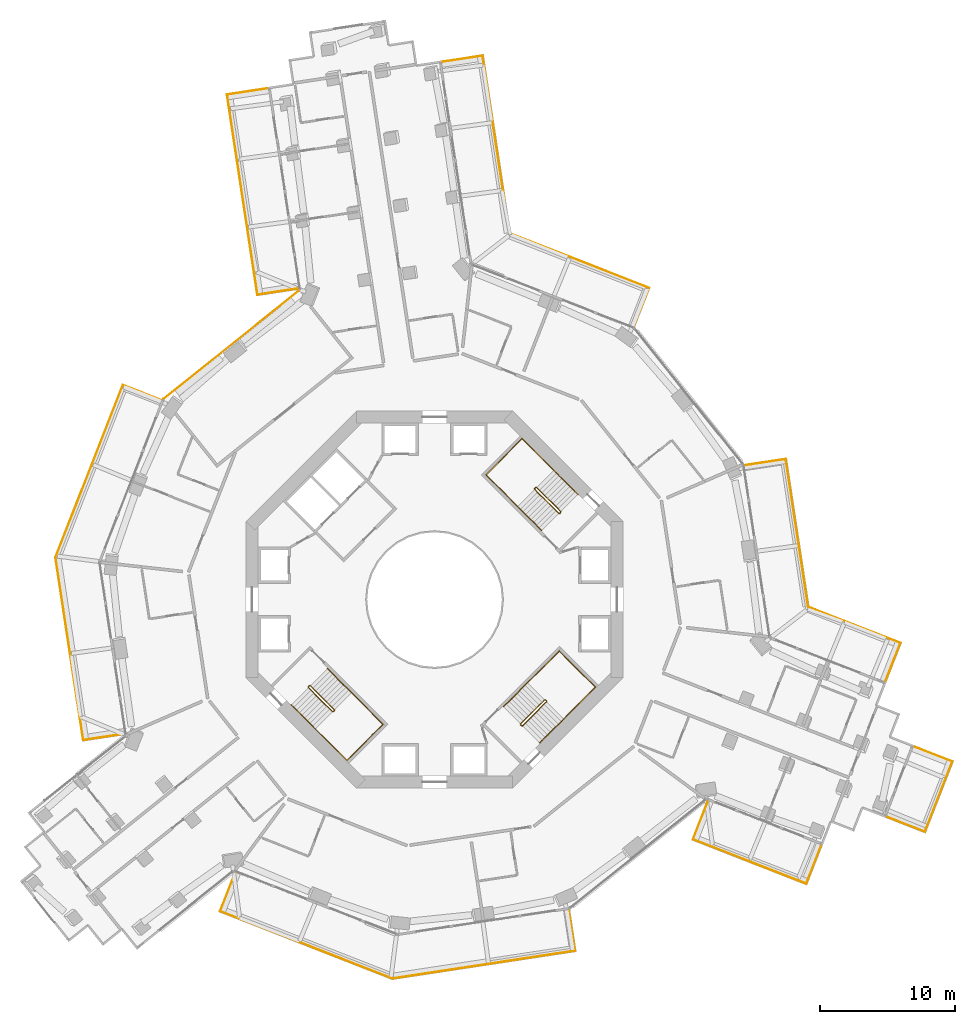
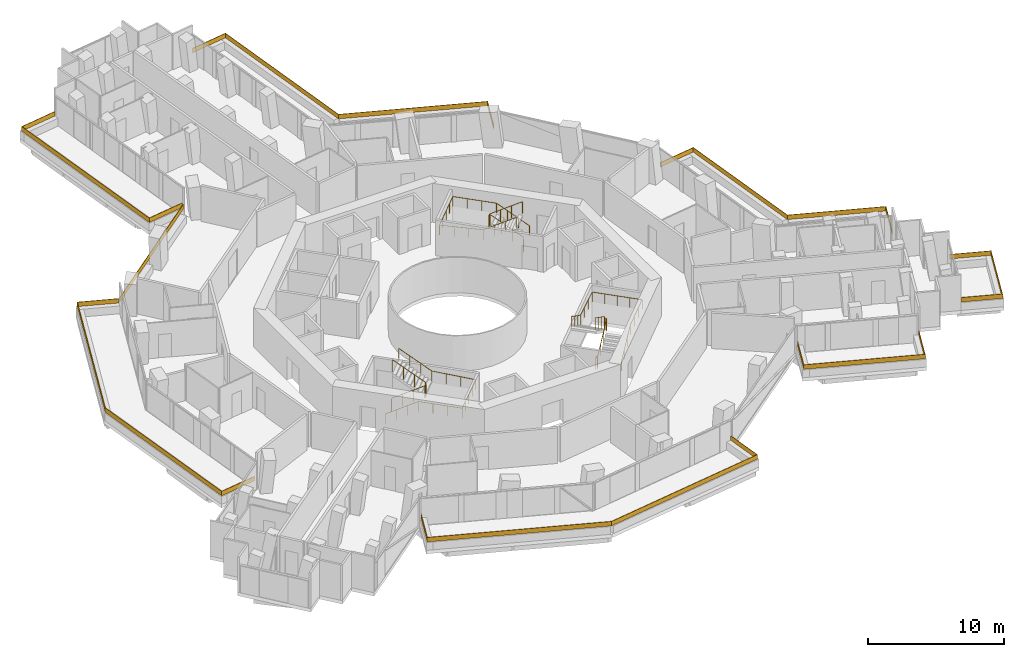
# One storey, part 28 of 28: 14 railings.
"""IFC4 building model written with IfcOpenShell, lengths in metres."""

import ifcopenshell
import ifcopenshell.guid

model = None  # the IFC model being written
_history = None  # IfcOwnerHistory: only IFC2X3 demands one
_inside = {}  # id of a spatial element -> (the spatial element, [elements in it])
_under = {}  # id of a project, library or spatial element -> (it, [spatial elements below it])
_declared = {}  # id of a project -> (the project, [libraries it declares])
_typed = {}  # id of a type object -> (the type object, [elements of that type])
_made_of = {}  # id of a material, layer set ... -> (it, [elements and type objects made of it])


def new_model(schema):
    """Start an empty IFC model of exactly this schema.

    Asked for "IFC4X3", IfcOpenShell would pick the latest addendum, in which some entities
    have other attributes; the version numbers below select the first issue.
    IFC2X3 requires an IfcOwnerHistory on every rooted entity: one is made here for all.
    """
    global model, _history
    if schema == "IFC4X3":
        model = ifcopenshell.file(schema_version=(4, 3, 0, 0))
    else:
        model = ifcopenshell.file(schema=schema)
    _inside.clear()
    _under.clear()
    _declared.clear()
    _typed.clear()
    _made_of.clear()
    _history = None
    if model.schema == "IFC2X3":
        org = make("IfcOrganization", Name="unknown")
        user = make(
            "IfcPersonAndOrganization",
            ThePerson=make("IfcPerson", FamilyName="unknown"),
            TheOrganization=org,
        )
        app = make(
            "IfcApplication",
            ApplicationDeveloper=org,
            Version="unknown",
            ApplicationFullName="unknown",
            ApplicationIdentifier="unknown",
        )
        _history = make(
            "IfcOwnerHistory",
            OwningUser=user,
            OwningApplication=app,
            ChangeAction="ADDED",
            CreationDate=0,
        )
    return model


def make(cls, **values):
    """One entity of the class cls with the attributes given. An attribute that is None is left unset."""
    return model.create_entity(
        cls, **{name: value for name, value in values.items() if value is not None}
    )


def rooted(cls, **values):
    """An entity with a GlobalId (a new one), such as an element, a storey or a relation."""
    return make(cls, GlobalId=ifcopenshell.guid.new(), OwnerHistory=_history, **values)


def si_unit(unit_type, name, prefix=None):
    """IfcSIUnit, for example si_unit("LENGTHUNIT", "METRE", prefix="MILLI")."""
    return make("IfcSIUnit", UnitType=unit_type, Prefix=prefix, Name=name)


def assignment(units):
    """IfcUnitAssignment: the units of a project."""
    return None if units is None else make("IfcUnitAssignment", Units=units)


def point(xyz):
    """IfcCartesianPoint."""
    return None if xyz is None else make("IfcCartesianPoint", Coordinates=xyz)


def direction(xyz):
    """IfcDirection."""
    return None if xyz is None else make("IfcDirection", DirectionRatios=xyz)


def frame(location, z_axis=None, x_axis=None):
    """IfcAxis2Placement3D, a coordinate frame: its origin and axes. An axis left out is left unset."""
    return make(
        "IfcAxis2Placement3D",
        Location=point(location),
        Axis=direction(z_axis),
        RefDirection=direction(x_axis),
    )


def frame_2d(location, x_axis=None):
    """IfcAxis2Placement2D, a coordinate frame in the plane: its origin and x axis."""
    return make(
        "IfcAxis2Placement2D", Location=point(location), RefDirection=direction(x_axis)
    )


def origin():
    """The frame at (0, 0, 0) with its axes left unset."""
    return frame((0.0, 0.0, 0.0))


def origin_2d():
    """The frame at (0, 0) in the plane with its x axis left unset."""
    return frame_2d((0.0, 0.0))


def place(relative_to, where):
    """IfcLocalPlacement: puts the frame where relative to a parent placement (None: the world)."""
    return make(
        "IfcLocalPlacement", PlacementRelTo=relative_to, RelativePlacement=where
    )


def context(
    kind, dimensions, precision=None, world=None, true_north=None, identifier=None
):
    """IfcGeometricRepresentationContext, for example the 3D "Model" context."""
    return make(
        "IfcGeometricRepresentationContext",
        ContextIdentifier=identifier,
        ContextType=kind,
        CoordinateSpaceDimension=dimensions,
        Precision=precision,
        WorldCoordinateSystem=world,
        TrueNorth=true_north,
    )


def subcontext(parent, identifier, kind, view, scale=None):
    """IfcGeometricRepresentationSubContext, for example "Body" below "Model"."""
    return make(
        "IfcGeometricRepresentationSubContext",
        ContextIdentifier=identifier,
        ContextType=kind,
        ParentContext=parent,
        TargetScale=scale,
        TargetView=view,
    )


def project(units=None, contexts=None):
    """IfcProject with its units and contexts."""
    return rooted(
        "IfcProject",
        Name="project",
        RepresentationContexts=contexts,
        UnitsInContext=assignment(units),
    )


def spatial(cls, under=None, at=None, **own):
    """A site, building, storey or space (cls), placed at a placement, below another one or the project."""
    s = rooted(cls, ObjectPlacement=at, **own)
    if under is not None:
        _under.setdefault(under.id(), (under, []))[1].append(s)
    return s


def polyline(points):
    """IfcPolyline through the points."""
    return make("IfcPolyline", Points=[point(p) for p in points])


def profile(cls, at=None, kind="AREA", **sizes):
    """A parametric profile (cls). Its sizes go by their IFC names, for example OverallWidth=200.0."""
    return make(cls, ProfileType=kind, Position=at, **sizes)


def rectangle(**sizes):
    """IfcRectangleProfileDef."""
    return profile("IfcRectangleProfileDef", **sizes)


def circle(**sizes):
    """IfcCircleProfileDef."""
    return profile("IfcCircleProfileDef", **sizes)


def outline(outer, holes=None, kind="AREA"):
    """IfcArbitraryClosedProfileDef: a profile drawn as a closed curve; with holes, ...WithVoids."""
    if holes is None:
        return make("IfcArbitraryClosedProfileDef", ProfileType=kind, OuterCurve=outer)
    return make(
        "IfcArbitraryProfileDefWithVoids",
        ProfileType=kind,
        OuterCurve=outer,
        InnerCurves=holes,
    )


def extrude(swept, where, along, depth):
    """IfcExtrudedAreaSolid: the profile swept, set in the frame where, extruded along a direction by depth."""
    return make(
        "IfcExtrudedAreaSolid",
        SweptArea=swept,
        Position=where,
        ExtrudedDirection=direction(along),
        Depth=depth,
    )


def shape(context_of_items, identifier, shape_type, items):
    """IfcShapeRepresentation: the items that make up one representation, for example the "Body"."""
    return make(
        "IfcShapeRepresentation",
        ContextOfItems=context_of_items,
        RepresentationIdentifier=identifier,
        RepresentationType=shape_type,
        Items=items,
    )


def material(Name=None, Category=None):
    """IfcMaterial."""
    return make("IfcMaterial", Name=Name, Category=Category)


def layer(
    of_material, thickness, ventilated=None, Name=None, Category=None, Priority=None
):
    """IfcMaterialLayer: one layer of a wall or slab, of a material (None: an air gap)."""
    return make(
        "IfcMaterialLayer",
        Material=of_material,
        LayerThickness=thickness,
        IsVentilated=ventilated,
        Name=Name,
        Category=Category,
        Priority=Priority,
    )


def layer_set(layers, Name=None):
    """IfcMaterialLayerSet."""
    return make("IfcMaterialLayerSet", MaterialLayers=layers, LayerSetName=Name)


def made_of(thing, what):
    """Note that an element or type object is made of a material, layer set ...; save() writes the relation."""
    if what is not None:
        _made_of.setdefault(what.id(), (what, []))[1].append(thing)
    return thing


def type_object(cls, material=None, **own):
    """A type object (cls), such as IfcWallType, which elements share."""
    return made_of(rooted(cls, **own), material)


def element(
    cls,
    number,
    at=None,
    inside=None,
    cuts=None,
    type_object=None,
    material=None,
    context=None,
    identifier="Body",
    shape_type=None,
    held_by="IfcProductDefinitionShape",
    body=None,
    shapes=None,
    **own,
):
    """One element of the class cls, such as IfcWall. Its Tag is "e" and its number.

    at: its placement. inside: the storey or other place that contains it. cuts: it is an
    opening in that element (IfcRelVoidsElement). A single representation is given by context,
    identifier, shape_type and body (its items); several are given by shapes. held_by: the class
    of the entity that holds the representations. save() writes the other relations.
    """
    e = rooted(cls, Tag="e%d" % number, ObjectPlacement=at, **own)
    if body is not None:
        shapes = [shape(context, identifier, shape_type, body)]
    if shapes is not None:
        e.Representation = make(held_by, Representations=shapes)
    if inside is not None:
        _inside.setdefault(inside.id(), (inside, []))[1].append(e)
    if cuts is not None:
        rooted(
            "IfcRelVoidsElement", RelatingBuildingElement=cuts, RelatedOpeningElement=e
        )
    if type_object is not None:
        _typed.setdefault(type_object.id(), (type_object, []))[1].append(e)
    return made_of(e, material)


def aggregate(whole, parts):
    """IfcRelAggregates: a whole, such as a stair, and the parts it consists of."""
    return rooted("IfcRelAggregates", RelatingObject=whole, RelatedObjects=parts)


def save(model, path):
    """Write the relations noted so far, then the file.

    IfcRelAggregates (storeys below a building ...), IfcRelContainedInSpatialStructure (elements
    in a storey), IfcRelDefinesByType, IfcRelAssociatesMaterial and IfcRelDeclares: one each for
    every whole, place, type object, material and project.
    """
    for whole, parts in _under.values():
        aggregate(whole, parts)
    for where, things in _inside.values():
        rooted(
            "IfcRelContainedInSpatialStructure",
            RelatedElements=things,
            RelatingStructure=where,
        )
    for kind, things in _typed.values():
        rooted("IfcRelDefinesByType", RelatedObjects=things, RelatingType=kind)
    for what, things in _made_of.values():
        rooted("IfcRelAssociatesMaterial", RelatedObjects=things, RelatingMaterial=what)
    for by, libraries in _declared.values():
        rooted("IfcRelDeclares", RelatingContext=by, RelatedDefinitions=libraries)
    model.write(path)


model = new_model("IFC4")

# Units and contexts
model_context = context("Model", 3, precision=1e-05, world=origin(), true_north=direction((0.0, 1.0)))
body_context = subcontext(model_context, "Body", "Model", "MODEL_VIEW")
ifc_project = project(units=[si_unit("LENGTHUNIT", "METRE"), si_unit("AREAUNIT", "SQUARE_METRE"), si_unit("VOLUMEUNIT", "CUBIC_METRE"), si_unit("PLANEANGLEUNIT", "RADIAN"), si_unit("MASSUNIT", "GRAM", prefix="KILO")], contexts=[model_context])

# Site, building, storey
site_placement = place(None, origin())
site = spatial("IfcSite", under=ifc_project, at=site_placement, CompositionType="ELEMENT")
building_placement = place(site_placement, origin())
building = spatial("IfcBuilding", under=site, at=building_placement, Name="Verdalira Terraces Hotel", CompositionType="ELEMENT")
storey_placement = place(building_placement, frame((0.0, 0.0, 68.0)))
storey = spatial("IfcBuildingStorey", under=building, at=storey_placement, Name="L15", CompositionType="ELEMENT", Elevation=68.0)

# Railings
ifc_material_1 = material(Name="Laminated glass", Category="glass")
ifc_layer = layer(ifc_material_1, 0.0400390625)
ifc_layer_set = layer_set([ifc_layer], Name="Balcony glass guard 400")
railing_type_1 = type_object("IfcRailingType", Name="Balcony glass guard 400", PredefinedType="GUARDRAIL", material=ifc_layer_set)
railing_1_placement = place(storey_placement, frame((0.0, 0.0, 0.699951)))
element("IfcRailing", 1, at=railing_1_placement, inside=storey, type_object=railing_type_1, Name="Balcony glass guard", PredefinedType="GUARDRAIL", context=body_context, shape_type="SweptSolid", body=[
    extrude(outline(polyline([(-15.386475, 37.490234), (-13.133545, 22.662598), (-10.089355, 23.125), (-10.083496, 23.085449), (-13.166992, 22.616943), (-15.432129, 37.523682), (-12.348633, 37.992188), (-12.342529, 37.952637), (-15.386475, 37.490234)])), origin(), (0.0, 0.0, 1.0), 0.400146),
])
railing_2_placement = place(storey_placement, frame((0.0, 0.0, 0.699951)))
element("IfcRailing", 2, at=railing_2_placement, inside=storey, type_object=railing_type_1, Name="Balcony glass guard", PredefinedType="GUARDRAIL", context=body_context, shape_type="SweptSolid", body=[
    extrude(outline(polyline([(-23.136719, 15.89917), (-28.128418, 3.135254), (-26.06958, -10.414551), (-23.025635, -9.951904), (-23.019531, -9.991455), (-26.103271, -10.459961), (-28.169678, 3.139893), (-23.159424, 15.950928), (-20.254639, 14.814941), (-20.269287, 14.777588), (-23.136719, 15.89917)])), origin(), (0.0, 0.0, 1.0), 0.400146),
])
railing_3_placement = place(storey_placement, frame((0.0, 0.0, 0.699951)))
element("IfcRailing", 3, at=railing_3_placement, inside=storey, type_object=railing_type_1, Name="Balcony glass guard", PredefinedType="GUARDRAIL", context=body_context, shape_type="SweptSolid", body=[
    extrude(outline(polyline([(-15.89917, -23.136719), (-3.135254, -28.128418), (10.414551, -26.06958), (9.951904, -23.025635), (9.991455, -23.019531), (10.459961, -26.103271), (-3.139893, -28.169678), (-15.950928, -23.159424), (-14.814941, -20.254639), (-14.777588, -20.269287), (-15.89917, -23.136719)])), origin(), (0.0, 0.0, 1.0), 0.400146),
])
railing_4_placement = place(storey_placement, frame((0.0, 0.0, 0.699951)))
element("IfcRailing", 4, at=railing_4_placement, inside=storey, type_object=railing_type_1, Name="Balcony glass guard", PredefinedType="GUARDRAIL", context=body_context, shape_type="SweptSolid", body=[
    extrude(outline(polyline([(19.2146, -17.80127), (27.594238, -21.078369), (28.71582, -18.210938), (28.75293, -18.225586), (27.616943, -21.130371), (19.162598, -17.823975), (20.298584, -14.919189), (20.335938, -14.933594), (19.2146, -17.80127)])), origin(), (0.0, 0.0, 1.0), 0.400146),
])
railing_5_placement = place(storey_placement, frame((0.0, 0.0, 0.699951)))
element("IfcRailing", 5, at=railing_5_placement, inside=storey, type_object=railing_type_1, Name="Balcony glass guard", PredefinedType="GUARDRAIL", context=body_context, shape_type="SweptSolid", body=[
    extrude(outline(polyline([(36.404053, -17.222168), (38.428955, -12.044189), (35.561523, -10.922852), (35.576172, -10.885498), (38.480957, -12.021484), (36.426758, -17.27417), (33.521973, -16.138184), (33.536377, -16.10083), (36.404053, -17.222168)])), origin(), (0.0, 0.0, 1.0), 0.400146),
])
railing_6_placement = place(storey_placement, frame((0.0, 0.0, 0.699951)))
element("IfcRailing", 6, at=railing_6_placement, inside=storey, type_object=railing_type_1, Name="Balcony glass guard", PredefinedType="GUARDRAIL", context=body_context, shape_type="SweptSolid", body=[
    extrude(outline(polyline([(34.572998, -3.234619), (27.737305, -0.561279), (26.06958, 10.414551), (23.025635, 9.951904), (23.019531, 9.991455), (26.103271, 10.459961), (27.773438, -0.532471), (34.624756, -3.211914), (33.48877, -6.116699), (33.451416, -6.102051), (34.572998, -3.234619)])), origin(), (0.0, 0.0, 1.0), 0.400146),
])
railing_7_placement = place(storey_placement, frame((0.0, 0.0, 0.699951)))
element("IfcRailing", 7, at=railing_7_placement, inside=storey, type_object=railing_type_1, Name="Balcony glass guard", PredefinedType="GUARDRAIL", context=body_context, shape_type="SweptSolid", body=[
    extrude(outline(polyline([(15.89917, 23.136719), (5.559814, 27.180176), (3.555908, 40.368408), (0.511963, 39.906006), (0.505859, 39.945557), (3.5896, 40.414062), (5.595947, 27.208984), (15.950928, 23.159424), (14.814941, 20.254639), (14.777588, 20.269287), (15.89917, 23.136719)])), origin(), (0.0, 0.0, 1.0), 0.400146),
])
railing_8_placement = place(storey_placement, frame((-15.116211, 18.908691, 0.699951), z_axis=(0.0, 0.0, 1.0), x_axis=(-0.781084732, -0.624425049, 0.0)))
element("IfcRailing", 8, at=railing_8_placement, inside=storey, type_object=railing_type_1, Name="Loggia glass guard", PredefinedType="GUARDRAIL", context=body_context, shape_type="SweptSolid", body=[
    extrude(rectangle(XDim=12.840088, YDim=0.040039, at=origin_2d()), origin(), (0.0, 0.0, 1.0), 0.399902),
])
ifc_material_2 = material(Name="Stainless steel", Category="steel")
railing_type_2 = type_object("IfcRailingType", Name="Stair guard 1100", PredefinedType="GUARDRAIL", material=ifc_material_2)
railing_9_placement = place(storey_placement, frame((9.369141, 6.469971, 0.0)))
element("IfcRailing", 9, at=railing_9_placement, inside=storey, type_object=railing_type_2, Name="L15 ST1 stair guard 1", PredefinedType="GUARDRAIL", context=body_context, shape_type="SweptSolid", body=[
    extrude(circle(Radius=0.023926, at=origin_2d()), frame((0.0, 0.0, 1.076172), z_axis=(-0.70832698, -0.705884473, 0.0), x_axis=(0.705884473, -0.70832698, 0.0)), (0.0, 0.0, 1.0), 0.099854),
    extrude(circle(Radius=0.023926, at=origin_2d()), frame((-0.070801, -0.070557, 1.076172), z_axis=(0.300162975, 0.599290904, 0.742127078), x_axis=(-0.894118129, 0.447831187, 0.0)), (0.0, 0.0, 1.0), 0.23584),
    extrude(circle(Radius=0.023926, at=origin_2d()), frame((0.0, 0.070801, 1.250977), z_axis=(-0.599637504, 0.599637504, 0.52997144), x_axis=(-0.707106781, -0.707106781, 0.0)), (0.0, 0.0, 1.0), 2.97168),
    extrude(circle(Radius=0.023926, at=origin_2d()), frame((-1.781982, 1.852783, 2.826172), z_axis=(-1.0, 0.0, 0.0), x_axis=(0.0, -1.0, 0.0)), (0.0, 0.0, 1.0), 0.070557),
    extrude(circle(Radius=0.023926, at=origin_2d()), frame((-1.852539, 1.852783, 2.826172), z_axis=(-0.707106781, -0.707106781, 0.0), x_axis=(0.707106781, -0.707106781, 0.0)), (0.0, 0.0, 1.0), 0.100098),
    extrude(circle(Radius=0.023926, at=origin_2d()), frame((-1.92334, 1.781982, 2.826172), z_axis=(0.0, -0.374954687, 0.92704314), x_axis=(1.0, 0.0, 0.0)), (0.0, 0.0, 1.0), 0.188721),
    extrude(circle(Radius=0.023926, at=origin_2d()), frame((-1.92334, 1.711182, 3.000977), z_axis=(0.599667044, -0.599584886, 0.529997548), x_axis=(0.707058338, 0.707155221, 0.0)), (0.0, 0.0, 1.0), 2.97168),
    extrude(circle(Radius=0.020996, at=origin_2d()), origin(), (0.0, 0.0, 1.0), 1.052002),
    extrude(circle(Radius=0.020996, at=origin_2d()), frame((-0.070801, -0.070557, 0.0)), (0.0, 0.0, 1.0), 1.052002),
    extrude(circle(Radius=0.020996, at=origin_2d()), frame((0.0, 0.070801, 0.175049)), (0.0, 0.0, 1.0), 1.052002),
    extrude(circle(Radius=0.020996, at=origin_2d()), frame((-0.593994, 0.664795, 0.699951)), (0.0, 0.0, 1.0), 1.052002),
    extrude(circle(Radius=0.020996, at=origin_2d()), frame((-1.187988, 1.258789, 1.225098)), (0.0, 0.0, 1.0), 1.052002),
    extrude(circle(Radius=0.020996, at=origin_2d()), frame((-1.781982, 1.852783, 1.75)), (0.0, 0.0, 1.0), 1.052002),
    extrude(circle(Radius=0.020996, at=origin_2d()), frame((-1.852539, 1.852783, 1.75)), (0.0, 0.0, 1.0), 1.052002),
    extrude(circle(Radius=0.020996, at=origin_2d()), frame((-1.92334, 1.781982, 1.75)), (0.0, 0.0, 1.0), 1.052002),
    extrude(circle(Radius=0.020996, at=origin_2d()), frame((-1.92334, 1.711182, 1.925049)), (0.0, 0.0, 1.0), 1.052002),
    extrude(circle(Radius=0.020996, at=origin_2d()), frame((-1.329346, 1.117188, 2.449951)), (0.0, 0.0, 1.0), 1.052002),
    extrude(circle(Radius=0.020996, at=origin_2d()), frame((-0.735352, 0.523438, 2.975098)), (0.0, 0.0, 1.0), 1.052002),
    extrude(circle(Radius=0.020996, at=origin_2d()), frame((-0.141357, -0.070557, 3.5)), (0.0, 0.0, 1.0), 1.052002),
])
railing_10_placement = place(storey_placement, frame((-9.369141, -6.469971, 0.0)))
element("IfcRailing", 10, at=railing_10_placement, inside=storey, type_object=railing_type_2, Name="L15 ST2 stair guard 1", PredefinedType="GUARDRAIL", context=body_context, shape_type="SweptSolid", body=[
    extrude(circle(Radius=0.023926, at=origin_2d()), frame((0.0, 0.0, 1.076172), z_axis=(0.70832698, 0.705884473, 0.0), x_axis=(-0.705884473, 0.70832698, 0.0)), (0.0, 0.0, 1.0), 0.099854),
    extrude(circle(Radius=0.023926, at=origin_2d()), frame((0.070801, 0.070557, 1.076172), z_axis=(-0.300162975, -0.599290904, 0.742127078), x_axis=(0.894118129, -0.447831187, 0.0)), (0.0, 0.0, 1.0), 0.23584),
    extrude(circle(Radius=0.023926, at=origin_2d()), frame((0.0, -0.070801, 1.250977), z_axis=(0.599637504, -0.599637504, 0.52997144), x_axis=(0.707106781, 0.707106781, 0.0)), (0.0, 0.0, 1.0), 2.97168),
    extrude(circle(Radius=0.023926, at=origin_2d()), frame((1.781982, -1.852783, 2.826172), z_axis=(1.0, 0.0, 0.0), x_axis=(0.0, 1.0, 0.0)), (0.0, 0.0, 1.0), 0.070557),
    extrude(circle(Radius=0.023926, at=origin_2d()), frame((1.852539, -1.852783, 2.826172), z_axis=(0.707106781, 0.707106781, 0.0), x_axis=(-0.707106781, 0.707106781, 0.0)), (0.0, 0.0, 1.0), 0.100098),
    extrude(circle(Radius=0.023926, at=origin_2d()), frame((1.92334, -1.781982, 2.826172), z_axis=(0.0, 0.374954687, 0.92704314), x_axis=(-1.0, 0.0, 0.0)), (0.0, 0.0, 1.0), 0.188721),
    extrude(circle(Radius=0.023926, at=origin_2d()), frame((1.92334, -1.711182, 3.000977), z_axis=(-0.599667044, 0.599584886, 0.529997548), x_axis=(-0.707058338, -0.707155221, 0.0)), (0.0, 0.0, 1.0), 2.97168),
    extrude(circle(Radius=0.020996, at=origin_2d()), origin(), (0.0, 0.0, 1.0), 1.052002),
    extrude(circle(Radius=0.020996, at=origin_2d()), frame((0.070801, 0.070557, 0.0)), (0.0, 0.0, 1.0), 1.052002),
    extrude(circle(Radius=0.020996, at=origin_2d()), frame((0.0, -0.070801, 0.175049)), (0.0, 0.0, 1.0), 1.052002),
    extrude(circle(Radius=0.020996, at=origin_2d()), frame((0.593994, -0.664795, 0.699951)), (0.0, 0.0, 1.0), 1.052002),
    extrude(circle(Radius=0.020996, at=origin_2d()), frame((1.187988, -1.258789, 1.225098)), (0.0, 0.0, 1.0), 1.052002),
    extrude(circle(Radius=0.020996, at=origin_2d()), frame((1.781982, -1.852783, 1.75)), (0.0, 0.0, 1.0), 1.052002),
    extrude(circle(Radius=0.020996, at=origin_2d()), frame((1.852539, -1.852783, 1.75)), (0.0, 0.0, 1.0), 1.052002),
    extrude(circle(Radius=0.020996, at=origin_2d()), frame((1.92334, -1.781982, 1.75)), (0.0, 0.0, 1.0), 1.052002),
    extrude(circle(Radius=0.020996, at=origin_2d()), frame((1.92334, -1.711182, 1.925049)), (0.0, 0.0, 1.0), 1.052002),
    extrude(circle(Radius=0.020996, at=origin_2d()), frame((1.329346, -1.117188, 2.449951)), (0.0, 0.0, 1.0), 1.052002),
    extrude(circle(Radius=0.020996, at=origin_2d()), frame((0.735352, -0.523438, 2.975098)), (0.0, 0.0, 1.0), 1.052002),
    extrude(circle(Radius=0.020996, at=origin_2d()), frame((0.141357, 0.070557, 3.5)), (0.0, 0.0, 1.0), 1.052002),
])
railing_11_placement = place(storey_placement, frame((6.469971, -9.369141, 0.0)))
element("IfcRailing", 11, at=railing_11_placement, inside=storey, type_object=railing_type_2, Name="L15 ST3 stair guard 1", PredefinedType="GUARDRAIL", context=body_context, shape_type="SweptSolid", body=[
    extrude(circle(Radius=0.023926, at=origin_2d()), frame((0.0, 0.0, 1.076172), z_axis=(-0.705884473, 0.70832698, 0.0), x_axis=(-0.70832698, -0.705884473, 0.0)), (0.0, 0.0, 1.0), 0.099854),
    extrude(circle(Radius=0.023926, at=origin_2d()), frame((-0.070557, 0.070801, 1.076172), z_axis=(0.599290904, -0.300162975, 0.742127078), x_axis=(0.447831187, 0.894118129, 0.0)), (0.0, 0.0, 1.0), 0.23584),
    extrude(circle(Radius=0.023926, at=origin_2d()), frame((0.070801, 0.0, 1.250977), z_axis=(0.599637504, 0.599637504, 0.52997144), x_axis=(-0.707106781, 0.707106781, 0.0)), (0.0, 0.0, 1.0), 2.97168),
    extrude(circle(Radius=0.023926, at=origin_2d()), frame((1.852783, 1.781982, 2.826172), z_axis=(0.0, 1.0, 0.0), x_axis=(-1.0, 0.0, 0.0)), (0.0, 0.0, 1.0), 0.070557),
    extrude(circle(Radius=0.023926, at=origin_2d()), frame((1.852783, 1.852539, 2.826172), z_axis=(-0.707106781, 0.707106781, 0.0), x_axis=(-0.707106781, -0.707106781, 0.0)), (0.0, 0.0, 1.0), 0.100098),
    extrude(circle(Radius=0.023926, at=origin_2d()), frame((1.781982, 1.92334, 2.826172), z_axis=(-0.374954687, 0.0, 0.92704314), x_axis=(0.0, -1.0, 0.0)), (0.0, 0.0, 1.0), 0.188721),
    extrude(circle(Radius=0.023926, at=origin_2d()), frame((1.711182, 1.92334, 3.000977), z_axis=(-0.599584886, -0.599667044, 0.529997548), x_axis=(0.707155221, -0.707058338, 0.0)), (0.0, 0.0, 1.0), 2.97168),
    extrude(circle(Radius=0.020996, at=origin_2d()), origin(), (0.0, 0.0, 1.0), 1.052002),
    extrude(circle(Radius=0.020996, at=origin_2d()), frame((-0.070557, 0.070801, 0.0)), (0.0, 0.0, 1.0), 1.052002),
    extrude(circle(Radius=0.020996, at=origin_2d()), frame((0.070801, 0.0, 0.175049)), (0.0, 0.0, 1.0), 1.052002),
    extrude(circle(Radius=0.020996, at=origin_2d()), frame((0.664795, 0.593994, 0.699951)), (0.0, 0.0, 1.0), 1.052002),
    extrude(circle(Radius=0.020996, at=origin_2d()), frame((1.258789, 1.187988, 1.225098)), (0.0, 0.0, 1.0), 1.052002),
    extrude(circle(Radius=0.020996, at=origin_2d()), frame((1.852783, 1.781982, 1.75)), (0.0, 0.0, 1.0), 1.052002),
    extrude(circle(Radius=0.020996, at=origin_2d()), frame((1.852783, 1.852539, 1.75)), (0.0, 0.0, 1.0), 1.052002),
    extrude(circle(Radius=0.020996, at=origin_2d()), frame((1.781982, 1.92334, 1.75)), (0.0, 0.0, 1.0), 1.052002),
    extrude(circle(Radius=0.020996, at=origin_2d()), frame((1.711182, 1.92334, 1.925049)), (0.0, 0.0, 1.0), 1.052002),
    extrude(circle(Radius=0.020996, at=origin_2d()), frame((1.117188, 1.329346, 2.449951)), (0.0, 0.0, 1.0), 1.052002),
    extrude(circle(Radius=0.020996, at=origin_2d()), frame((0.523438, 0.735352, 2.975098)), (0.0, 0.0, 1.0), 1.052002),
    extrude(circle(Radius=0.020996, at=origin_2d()), frame((-0.070557, 0.141357, 3.5)), (0.0, 0.0, 1.0), 1.052002),
])
ifc_material_3 = material(Name="Stainless steel", Category="steel")
railing_type_3 = type_object("IfcRailingType", Name="Stair handrail 900", PredefinedType="HANDRAIL", material=ifc_material_3)
railing_12_placement = place(storey_placement, frame((10.641846, 7.813477, 0.175049)))
element("IfcRailing", 12, at=railing_12_placement, inside=storey, type_object=railing_type_3, Name="L15 ST1 stair handrail 1", PredefinedType="HANDRAIL", context=body_context, shape_type="SweptSolid", body=[
    extrude(circle(Radius=0.023926, at=origin_2d()), frame((0.0, 0.0, 0.875977), z_axis=(-0.599584886, 0.599667044, 0.529997548), x_axis=(-0.707155221, -0.707058338, 0.0)), (0.0, 0.0, 1.0), 2.97168),
    extrude(circle(Radius=0.023926, at=origin_2d()), frame((-1.781738, 1.781982, 2.450684), z_axis=(-0.707106781, 0.707106781, 0.0), x_axis=(-0.707106781, -0.707106781, 0.0)), (0.0, 0.0, 1.0), 3.330078),
    extrude(circle(Radius=0.023926, at=origin_2d()), frame((-4.136475, 4.136719, 2.450684), z_axis=(-0.707106781, -0.707106781, 0.0), x_axis=(0.707106781, -0.707106781, 0.0)), (0.0, 0.0, 1.0), 3.800049),
    extrude(circle(Radius=0.023926, at=origin_2d()), frame((-6.823486, 1.449707, 2.450684), z_axis=(0.706131881, -0.706131881, 0.052493163), x_axis=(0.707106781, 0.707106781, 0.0)), (0.0, 0.0, 1.0), 3.334717),
    extrude(circle(Radius=0.023926, at=origin_2d()), frame((-4.46875, -0.905029, 2.625977), z_axis=(0.599584886, -0.599667044, 0.529997548), x_axis=(0.707155221, 0.707058338, 0.0)), (0.0, 0.0, 1.0), 2.97168),
    extrude(circle(Radius=0.020996, at=origin_2d()), origin(), (0.0, 0.0, 1.0), 0.851807),
    extrude(circle(Radius=0.020996, at=origin_2d()), frame((-0.593994, 0.593994, 0.524902)), (0.0, 0.0, 1.0), 0.851807),
    extrude(circle(Radius=0.020996, at=origin_2d()), frame((-1.187744, 1.187988, 1.050049)), (0.0, 0.0, 1.0), 0.851807),
    extrude(circle(Radius=0.020996, at=origin_2d()), frame((-1.781738, 1.781982, 1.574951)), (0.0, 0.0, 1.0), 0.851807),
    extrude(circle(Radius=0.020996, at=origin_2d()), frame((-2.56665, 2.566895, 1.574951)), (0.0, 0.0, 1.0), 0.851807),
    extrude(circle(Radius=0.020996, at=origin_2d()), frame((-3.351562, 3.351807, 1.574951)), (0.0, 0.0, 1.0), 0.851807),
    extrude(circle(Radius=0.020996, at=origin_2d()), frame((-4.136475, 4.136719, 1.574951)), (0.0, 0.0, 1.0), 0.851807),
    extrude(circle(Radius=0.020996, at=origin_2d()), frame((-4.808105, 3.464844, 1.574951)), (0.0, 0.0, 1.0), 0.851807),
    extrude(circle(Radius=0.020996, at=origin_2d()), frame((-5.47998, 2.793213, 1.574951)), (0.0, 0.0, 1.0), 0.851807),
    extrude(circle(Radius=0.020996, at=origin_2d()), frame((-6.151855, 2.121582, 1.574951)), (0.0, 0.0, 1.0), 0.851807),
    extrude(circle(Radius=0.020996, at=origin_2d()), frame((-6.823486, 1.449707, 1.574951)), (0.0, 0.0, 1.0), 0.851807),
    extrude(circle(Radius=0.020996, at=origin_2d()), frame((-6.038574, 0.664795, 1.633301)), (0.0, 0.0, 1.0), 0.851807),
    extrude(circle(Radius=0.020996, at=origin_2d()), frame((-5.253662, -0.120117, 1.69165)), (0.0, 0.0, 1.0), 0.851807),
    extrude(circle(Radius=0.020996, at=origin_2d()), frame((-4.46875, -0.905029, 1.75)), (0.0, 0.0, 1.0), 0.851807),
    extrude(circle(Radius=0.020996, at=origin_2d()), frame((-3.874756, -1.499023, 2.274902)), (0.0, 0.0, 1.0), 0.851807),
    extrude(circle(Radius=0.020996, at=origin_2d()), frame((-3.281006, -2.093018, 2.800049)), (0.0, 0.0, 1.0), 0.851807),
    extrude(circle(Radius=0.020996, at=origin_2d()), frame((-2.687012, -2.687012, 3.324951)), (0.0, 0.0, 1.0), 0.851807),
])
railing_13_placement = place(storey_placement, frame((-10.641846, -7.813477, 0.175049)))
element("IfcRailing", 13, at=railing_13_placement, inside=storey, type_object=railing_type_3, Name="L15 ST2 stair handrail 1", PredefinedType="HANDRAIL", context=body_context, shape_type="SweptSolid", body=[
    extrude(circle(Radius=0.023926, at=origin_2d()), frame((0.0, 0.0, 0.875977), z_axis=(0.599584886, -0.599667044, 0.529997548), x_axis=(0.707155221, 0.707058338, 0.0)), (0.0, 0.0, 1.0), 2.97168),
    extrude(circle(Radius=0.023926, at=origin_2d()), frame((1.781738, -1.781982, 2.450684), z_axis=(0.707106781, -0.707106781, 0.0), x_axis=(0.707106781, 0.707106781, 0.0)), (0.0, 0.0, 1.0), 3.330078),
    extrude(circle(Radius=0.023926, at=origin_2d()), frame((4.136475, -4.136719, 2.450684), z_axis=(0.707106781, 0.707106781, 0.0), x_axis=(-0.707106781, 0.707106781, 0.0)), (0.0, 0.0, 1.0), 3.800049),
    extrude(circle(Radius=0.023926, at=origin_2d()), frame((6.823486, -1.449707, 2.450684), z_axis=(-0.706131881, 0.706131881, 0.052493163), x_axis=(-0.707106781, -0.707106781, 0.0)), (0.0, 0.0, 1.0), 3.334717),
    extrude(circle(Radius=0.023926, at=origin_2d()), frame((4.46875, 0.905029, 2.625977), z_axis=(-0.599584886, 0.599667044, 0.529997548), x_axis=(-0.707155221, -0.707058338, 0.0)), (0.0, 0.0, 1.0), 2.97168),
    extrude(circle(Radius=0.020996, at=origin_2d()), origin(), (0.0, 0.0, 1.0), 0.851807),
    extrude(circle(Radius=0.020996, at=origin_2d()), frame((0.593994, -0.593994, 0.524902)), (0.0, 0.0, 1.0), 0.851807),
    extrude(circle(Radius=0.020996, at=origin_2d()), frame((1.187744, -1.187988, 1.050049)), (0.0, 0.0, 1.0), 0.851807),
    extrude(circle(Radius=0.020996, at=origin_2d()), frame((1.781738, -1.781982, 1.574951)), (0.0, 0.0, 1.0), 0.851807),
    extrude(circle(Radius=0.020996, at=origin_2d()), frame((2.56665, -2.566895, 1.574951)), (0.0, 0.0, 1.0), 0.851807),
    extrude(circle(Radius=0.020996, at=origin_2d()), frame((3.351562, -3.351807, 1.574951)), (0.0, 0.0, 1.0), 0.851807),
    extrude(circle(Radius=0.020996, at=origin_2d()), frame((4.136475, -4.136719, 1.574951)), (0.0, 0.0, 1.0), 0.851807),
    extrude(circle(Radius=0.020996, at=origin_2d()), frame((4.808105, -3.464844, 1.574951)), (0.0, 0.0, 1.0), 0.851807),
    extrude(circle(Radius=0.020996, at=origin_2d()), frame((5.47998, -2.793213, 1.574951)), (0.0, 0.0, 1.0), 0.851807),
    extrude(circle(Radius=0.020996, at=origin_2d()), frame((6.151855, -2.121582, 1.574951)), (0.0, 0.0, 1.0), 0.851807),
    extrude(circle(Radius=0.020996, at=origin_2d()), frame((6.823486, -1.449707, 1.574951)), (0.0, 0.0, 1.0), 0.851807),
    extrude(circle(Radius=0.020996, at=origin_2d()), frame((6.038574, -0.664795, 1.633301)), (0.0, 0.0, 1.0), 0.851807),
    extrude(circle(Radius=0.020996, at=origin_2d()), frame((5.253662, 0.120117, 1.69165)), (0.0, 0.0, 1.0), 0.851807),
    extrude(circle(Radius=0.020996, at=origin_2d()), frame((4.46875, 0.905029, 1.75)), (0.0, 0.0, 1.0), 0.851807),
    extrude(circle(Radius=0.020996, at=origin_2d()), frame((3.874756, 1.499023, 2.274902)), (0.0, 0.0, 1.0), 0.851807),
    extrude(circle(Radius=0.020996, at=origin_2d()), frame((3.281006, 2.093018, 2.800049)), (0.0, 0.0, 1.0), 0.851807),
    extrude(circle(Radius=0.020996, at=origin_2d()), frame((2.687012, 2.687012, 3.324951)), (0.0, 0.0, 1.0), 0.851807),
])
railing_14_placement = place(storey_placement, frame((7.813477, -10.641846, 0.175049)))
element("IfcRailing", 14, at=railing_14_placement, inside=storey, type_object=railing_type_3, Name="L15 ST3 stair handrail 1", PredefinedType="HANDRAIL", context=body_context, shape_type="SweptSolid", body=[
    extrude(circle(Radius=0.023926, at=origin_2d()), frame((0.0, 0.0, 0.875977), z_axis=(0.599667044, 0.599584886, 0.529997548), x_axis=(-0.707058338, 0.707155221, 0.0)), (0.0, 0.0, 1.0), 2.97168),
    extrude(circle(Radius=0.023926, at=origin_2d()), frame((1.781982, 1.781738, 2.450684), z_axis=(0.707106781, 0.707106781, 0.0), x_axis=(-0.707106781, 0.707106781, 0.0)), (0.0, 0.0, 1.0), 3.330078),
    extrude(circle(Radius=0.023926, at=origin_2d()), frame((4.136719, 4.136475, 2.450684), z_axis=(-0.707106781, 0.707106781, 0.0), x_axis=(-0.707106781, -0.707106781, 0.0)), (0.0, 0.0, 1.0), 3.800049),
    extrude(circle(Radius=0.023926, at=origin_2d()), frame((1.449707, 6.823486, 2.450684), z_axis=(-0.706131881, -0.706131881, 0.052493163), x_axis=(0.707106781, -0.707106781, 0.0)), (0.0, 0.0, 1.0), 3.334717),
    extrude(circle(Radius=0.023926, at=origin_2d()), frame((-0.905029, 4.46875, 2.625977), z_axis=(-0.599667044, -0.599584886, 0.529997548), x_axis=(0.707058338, -0.707155221, 0.0)), (0.0, 0.0, 1.0), 2.97168),
    extrude(circle(Radius=0.020996, at=origin_2d()), origin(), (0.0, 0.0, 1.0), 0.851807),
    extrude(circle(Radius=0.020996, at=origin_2d()), frame((0.593994, 0.593994, 0.524902)), (0.0, 0.0, 1.0), 0.851807),
    extrude(circle(Radius=0.020996, at=origin_2d()), frame((1.187988, 1.187744, 1.050049)), (0.0, 0.0, 1.0), 0.851807),
    extrude(circle(Radius=0.020996, at=origin_2d()), frame((1.781982, 1.781738, 1.574951)), (0.0, 0.0, 1.0), 0.851807),
    extrude(circle(Radius=0.020996, at=origin_2d()), frame((2.566895, 2.56665, 1.574951)), (0.0, 0.0, 1.0), 0.851807),
    extrude(circle(Radius=0.020996, at=origin_2d()), frame((3.351807, 3.351562, 1.574951)), (0.0, 0.0, 1.0), 0.851807),
    extrude(circle(Radius=0.020996, at=origin_2d()), frame((4.136719, 4.136475, 1.574951)), (0.0, 0.0, 1.0), 0.851807),
    extrude(circle(Radius=0.020996, at=origin_2d()), frame((3.464844, 4.808105, 1.574951)), (0.0, 0.0, 1.0), 0.851807),
    extrude(circle(Radius=0.020996, at=origin_2d()), frame((2.793213, 5.47998, 1.574951)), (0.0, 0.0, 1.0), 0.851807),
    extrude(circle(Radius=0.020996, at=origin_2d()), frame((2.121582, 6.151855, 1.574951)), (0.0, 0.0, 1.0), 0.851807),
    extrude(circle(Radius=0.020996, at=origin_2d()), frame((1.449707, 6.823486, 1.574951)), (0.0, 0.0, 1.0), 0.851807),
    extrude(circle(Radius=0.020996, at=origin_2d()), frame((0.664795, 6.038574, 1.633301)), (0.0, 0.0, 1.0), 0.851807),
    extrude(circle(Radius=0.020996, at=origin_2d()), frame((-0.120117, 5.253662, 1.69165)), (0.0, 0.0, 1.0), 0.851807),
    extrude(circle(Radius=0.020996, at=origin_2d()), frame((-0.905029, 4.46875, 1.75)), (0.0, 0.0, 1.0), 0.851807),
    extrude(circle(Radius=0.020996, at=origin_2d()), frame((-1.499023, 3.874756, 2.274902)), (0.0, 0.0, 1.0), 0.851807),
    extrude(circle(Radius=0.020996, at=origin_2d()), frame((-2.093018, 3.281006, 2.800049)), (0.0, 0.0, 1.0), 0.851807),
    extrude(circle(Radius=0.020996, at=origin_2d()), frame((-2.687012, 2.687012, 3.324951)), (0.0, 0.0, 1.0), 0.851807),
])

save(model, "model.ifc")
